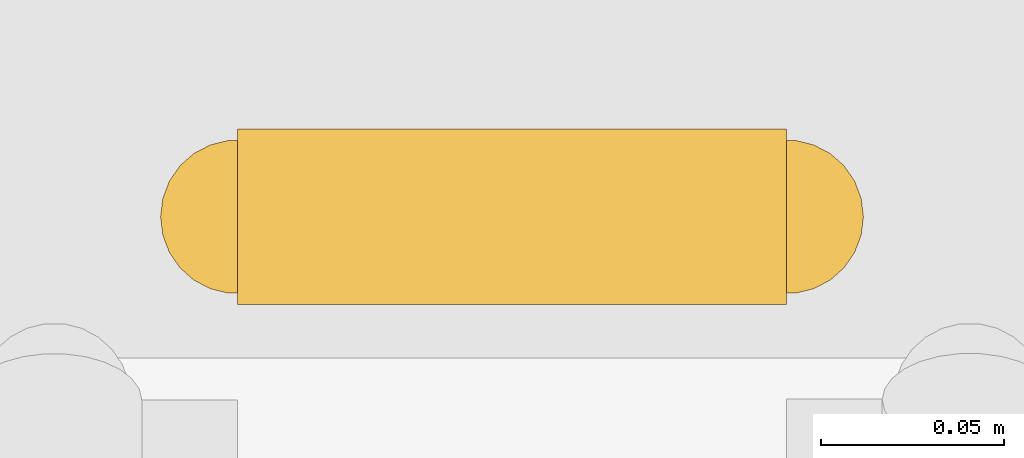
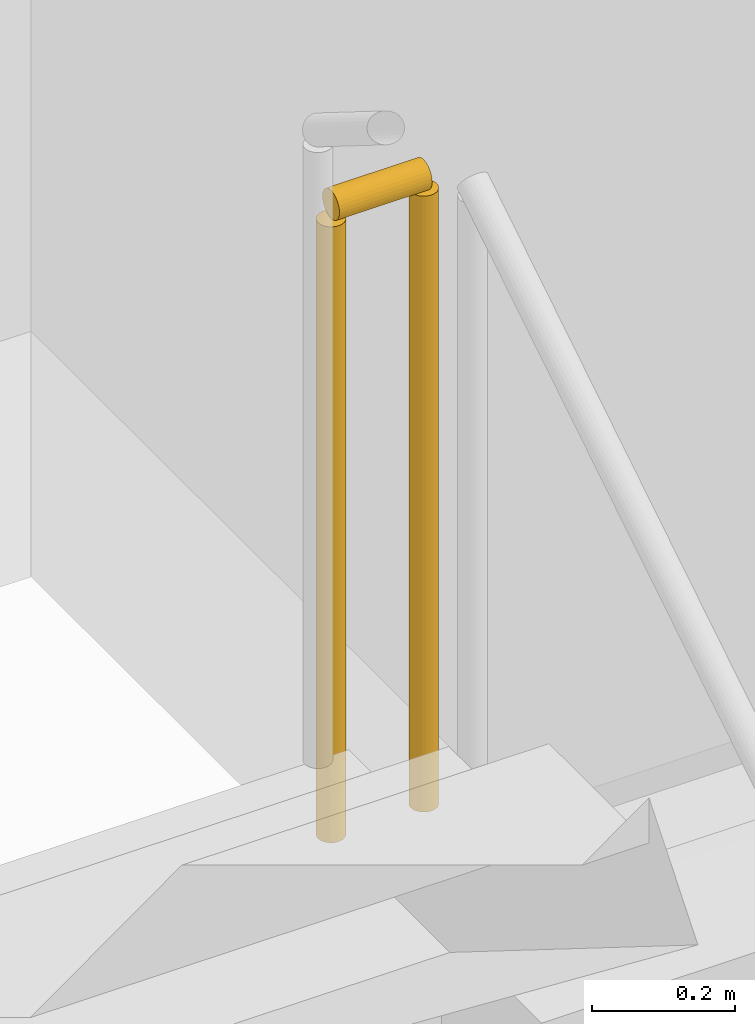
# One storey, part 11 of 12: 1 railing.
"""IFC4 building model written with IfcOpenShell, lengths in metres."""

import ifcopenshell
import ifcopenshell.guid

model = None  # the IFC model being written
_history = None  # IfcOwnerHistory: only IFC2X3 demands one
_inside = {}  # id of a spatial element -> (the spatial element, [elements in it])
_under = {}  # id of a project, library or spatial element -> (it, [spatial elements below it])
_declared = {}  # id of a project -> (the project, [libraries it declares])
_typed = {}  # id of a type object -> (the type object, [elements of that type])
_made_of = {}  # id of a material, layer set ... -> (it, [elements and type objects made of it])


def new_model(schema):
    """Start an empty IFC model of exactly this schema.

    Asked for "IFC4X3", IfcOpenShell would pick the latest addendum, in which some entities
    have other attributes; the version numbers below select the first issue.
    IFC2X3 requires an IfcOwnerHistory on every rooted entity: one is made here for all.
    """
    global model, _history
    if schema == "IFC4X3":
        model = ifcopenshell.file(schema_version=(4, 3, 0, 0))
    else:
        model = ifcopenshell.file(schema=schema)
    _inside.clear()
    _under.clear()
    _declared.clear()
    _typed.clear()
    _made_of.clear()
    _history = None
    if model.schema == "IFC2X3":
        org = make("IfcOrganization", Name="unknown")
        user = make(
            "IfcPersonAndOrganization",
            ThePerson=make("IfcPerson", FamilyName="unknown"),
            TheOrganization=org,
        )
        app = make(
            "IfcApplication",
            ApplicationDeveloper=org,
            Version="unknown",
            ApplicationFullName="unknown",
            ApplicationIdentifier="unknown",
        )
        _history = make(
            "IfcOwnerHistory",
            OwningUser=user,
            OwningApplication=app,
            ChangeAction="ADDED",
            CreationDate=0,
        )
    return model


def make(cls, **values):
    """One entity of the class cls with the attributes given. An attribute that is None is left unset."""
    return model.create_entity(
        cls, **{name: value for name, value in values.items() if value is not None}
    )


def rooted(cls, **values):
    """An entity with a GlobalId (a new one), such as an element, a storey or a relation."""
    return make(cls, GlobalId=ifcopenshell.guid.new(), OwnerHistory=_history, **values)


def si_unit(unit_type, name, prefix=None):
    """IfcSIUnit, for example si_unit("LENGTHUNIT", "METRE", prefix="MILLI")."""
    return make("IfcSIUnit", UnitType=unit_type, Prefix=prefix, Name=name)


def assignment(units):
    """IfcUnitAssignment: the units of a project."""
    return None if units is None else make("IfcUnitAssignment", Units=units)


def point(xyz):
    """IfcCartesianPoint."""
    return None if xyz is None else make("IfcCartesianPoint", Coordinates=xyz)


def direction(xyz):
    """IfcDirection."""
    return None if xyz is None else make("IfcDirection", DirectionRatios=xyz)


def frame(location, z_axis=None, x_axis=None):
    """IfcAxis2Placement3D, a coordinate frame: its origin and axes. An axis left out is left unset."""
    return make(
        "IfcAxis2Placement3D",
        Location=point(location),
        Axis=direction(z_axis),
        RefDirection=direction(x_axis),
    )


def frame_2d(location, x_axis=None):
    """IfcAxis2Placement2D, a coordinate frame in the plane: its origin and x axis."""
    return make(
        "IfcAxis2Placement2D", Location=point(location), RefDirection=direction(x_axis)
    )


def origin():
    """The frame at (0, 0, 0) with its axes left unset."""
    return frame((0.0, 0.0, 0.0))


def origin_2d():
    """The frame at (0, 0) in the plane with its x axis left unset."""
    return frame_2d((0.0, 0.0))


def place(relative_to, where):
    """IfcLocalPlacement: puts the frame where relative to a parent placement (None: the world)."""
    return make(
        "IfcLocalPlacement", PlacementRelTo=relative_to, RelativePlacement=where
    )


def context(
    kind, dimensions, precision=None, world=None, true_north=None, identifier=None
):
    """IfcGeometricRepresentationContext, for example the 3D "Model" context."""
    return make(
        "IfcGeometricRepresentationContext",
        ContextIdentifier=identifier,
        ContextType=kind,
        CoordinateSpaceDimension=dimensions,
        Precision=precision,
        WorldCoordinateSystem=world,
        TrueNorth=true_north,
    )


def subcontext(parent, identifier, kind, view, scale=None):
    """IfcGeometricRepresentationSubContext, for example "Body" below "Model"."""
    return make(
        "IfcGeometricRepresentationSubContext",
        ContextIdentifier=identifier,
        ContextType=kind,
        ParentContext=parent,
        TargetScale=scale,
        TargetView=view,
    )


def project(units=None, contexts=None):
    """IfcProject with its units and contexts."""
    return rooted(
        "IfcProject",
        Name="project",
        RepresentationContexts=contexts,
        UnitsInContext=assignment(units),
    )


def spatial(cls, under=None, at=None, **own):
    """A site, building, storey or space (cls), placed at a placement, below another one or the project."""
    s = rooted(cls, ObjectPlacement=at, **own)
    if under is not None:
        _under.setdefault(under.id(), (under, []))[1].append(s)
    return s


def profile(cls, at=None, kind="AREA", **sizes):
    """A parametric profile (cls). Its sizes go by their IFC names, for example OverallWidth=200.0."""
    return make(cls, ProfileType=kind, Position=at, **sizes)


def circle(**sizes):
    """IfcCircleProfileDef."""
    return profile("IfcCircleProfileDef", **sizes)


def extrude(swept, where, along, depth):
    """IfcExtrudedAreaSolid: the profile swept, set in the frame where, extruded along a direction by depth."""
    return make(
        "IfcExtrudedAreaSolid",
        SweptArea=swept,
        Position=where,
        ExtrudedDirection=direction(along),
        Depth=depth,
    )


def shape(context_of_items, identifier, shape_type, items):
    """IfcShapeRepresentation: the items that make up one representation, for example the "Body"."""
    return make(
        "IfcShapeRepresentation",
        ContextOfItems=context_of_items,
        RepresentationIdentifier=identifier,
        RepresentationType=shape_type,
        Items=items,
    )


def material(Name=None, Category=None):
    """IfcMaterial."""
    return make("IfcMaterial", Name=Name, Category=Category)


def made_of(thing, what):
    """Note that an element or type object is made of a material, layer set ...; save() writes the relation."""
    if what is not None:
        _made_of.setdefault(what.id(), (what, []))[1].append(thing)
    return thing


def type_object(cls, material=None, **own):
    """A type object (cls), such as IfcWallType, which elements share."""
    return made_of(rooted(cls, **own), material)


def element(
    cls,
    number,
    at=None,
    inside=None,
    cuts=None,
    type_object=None,
    material=None,
    context=None,
    identifier="Body",
    shape_type=None,
    held_by="IfcProductDefinitionShape",
    body=None,
    shapes=None,
    **own,
):
    """One element of the class cls, such as IfcWall. Its Tag is "e" and its number.

    at: its placement. inside: the storey or other place that contains it. cuts: it is an
    opening in that element (IfcRelVoidsElement). A single representation is given by context,
    identifier, shape_type and body (its items); several are given by shapes. held_by: the class
    of the entity that holds the representations. save() writes the other relations.
    """
    e = rooted(cls, Tag="e%d" % number, ObjectPlacement=at, **own)
    if body is not None:
        shapes = [shape(context, identifier, shape_type, body)]
    if shapes is not None:
        e.Representation = make(held_by, Representations=shapes)
    if inside is not None:
        _inside.setdefault(inside.id(), (inside, []))[1].append(e)
    if cuts is not None:
        rooted(
            "IfcRelVoidsElement", RelatingBuildingElement=cuts, RelatedOpeningElement=e
        )
    if type_object is not None:
        _typed.setdefault(type_object.id(), (type_object, []))[1].append(e)
    return made_of(e, material)


def aggregate(whole, parts):
    """IfcRelAggregates: a whole, such as a stair, and the parts it consists of."""
    return rooted("IfcRelAggregates", RelatingObject=whole, RelatedObjects=parts)


def save(model, path):
    """Write the relations noted so far, then the file.

    IfcRelAggregates (storeys below a building ...), IfcRelContainedInSpatialStructure (elements
    in a storey), IfcRelDefinesByType, IfcRelAssociatesMaterial and IfcRelDeclares: one each for
    every whole, place, type object, material and project.
    """
    for whole, parts in _under.values():
        aggregate(whole, parts)
    for where, things in _inside.values():
        rooted(
            "IfcRelContainedInSpatialStructure",
            RelatedElements=things,
            RelatingStructure=where,
        )
    for kind, things in _typed.values():
        rooted("IfcRelDefinesByType", RelatedObjects=things, RelatingType=kind)
    for what, things in _made_of.values():
        rooted("IfcRelAssociatesMaterial", RelatedObjects=things, RelatingMaterial=what)
    for by, libraries in _declared.values():
        rooted("IfcRelDeclares", RelatingContext=by, RelatedDefinitions=libraries)
    model.write(path)


model = new_model("IFC4")

# Units and contexts
model_context = context("Model", 3, precision=1e-05, world=origin(), true_north=direction((0.0, 1.0)))
body_context = subcontext(model_context, "Body", "Model", "MODEL_VIEW")
ifc_project = project(units=[si_unit("LENGTHUNIT", "METRE"), si_unit("AREAUNIT", "SQUARE_METRE"), si_unit("VOLUMEUNIT", "CUBIC_METRE"), si_unit("PLANEANGLEUNIT", "RADIAN"), si_unit("MASSUNIT", "GRAM", prefix="KILO")], contexts=[model_context])

# Site, building, storey
site_placement = place(None, origin())
site = spatial("IfcSite", under=ifc_project, at=site_placement, CompositionType="ELEMENT")
building_placement = place(site_placement, origin())
building = spatial("IfcBuilding", under=site, at=building_placement, Name="Khamvora Tower", CompositionType="ELEMENT")
storey_placement = place(building_placement, frame((0.0, 0.0, 286.25)))
storey = spatial("IfcBuildingStorey", under=building, at=storey_placement, Name="L73", CompositionType="ELEMENT", Elevation=286.25)

# Railing
ifc_material = material(Name="Stainless Steel 316", Category="steel")
railing_type = type_object("IfcRailingType", Name="RAL-STG-1100", PredefinedType="GUARDRAIL", material=ifc_material)
railing_placement = place(storey_placement, frame((30.89990234375, 32.97998046875, 2.10009765625)))
element("IfcRailing", 1, at=railing_placement, inside=storey, type_object=railing_type, Name="L73 ST-02 stair guard 2", PredefinedType="GUARDRAIL", context=body_context, shape_type="SweptSolid", body=[
    extrude(circle(Radius=0.02392578125, at=origin_2d()), frame((0.0, 0.0, 1.076171875), z_axis=(-1.0, 0.0, 0.0), x_axis=(0.0, -1.0, 0.0)), (0.0, 0.0, 1.0), 0.14990234375),
    extrude(circle(Radius=0.02099609375, at=origin_2d()), origin(), (0.0, 0.0, 1.0), 1.052001953125),
    extrude(circle(Radius=0.02099609375, at=origin_2d()), frame((-0.14990234375, 0.0, 0.0)), (0.0, 0.0, 1.0), 1.052001953125),
])

save(model, "model.ifc")
